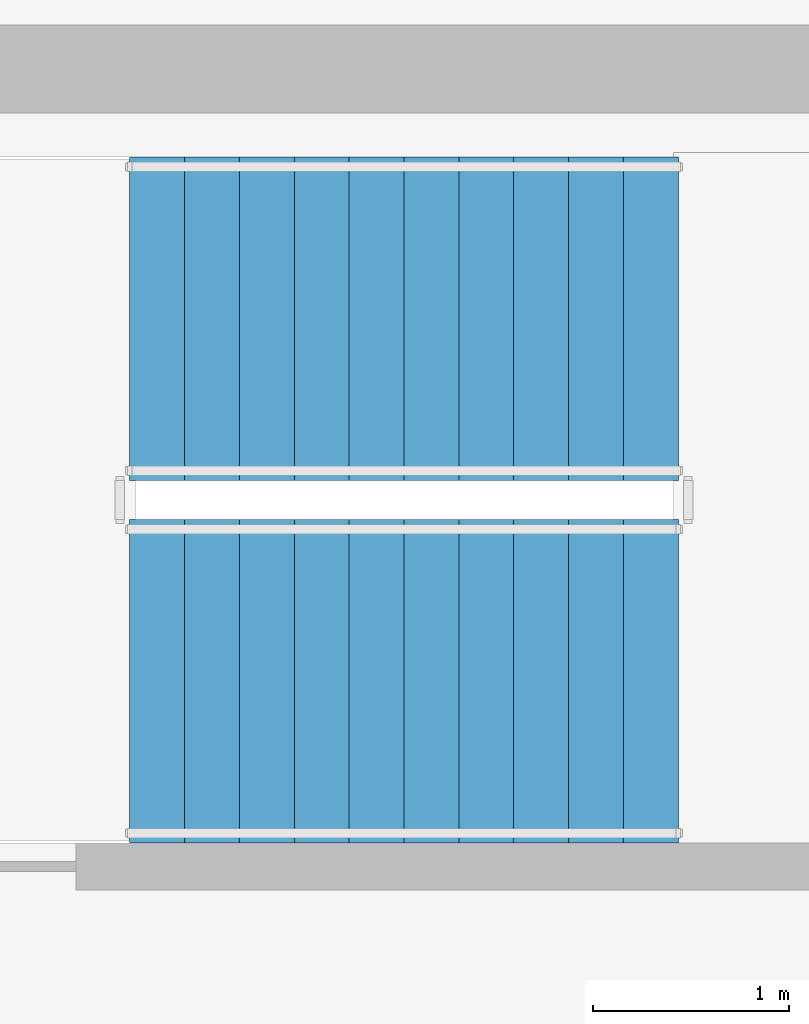
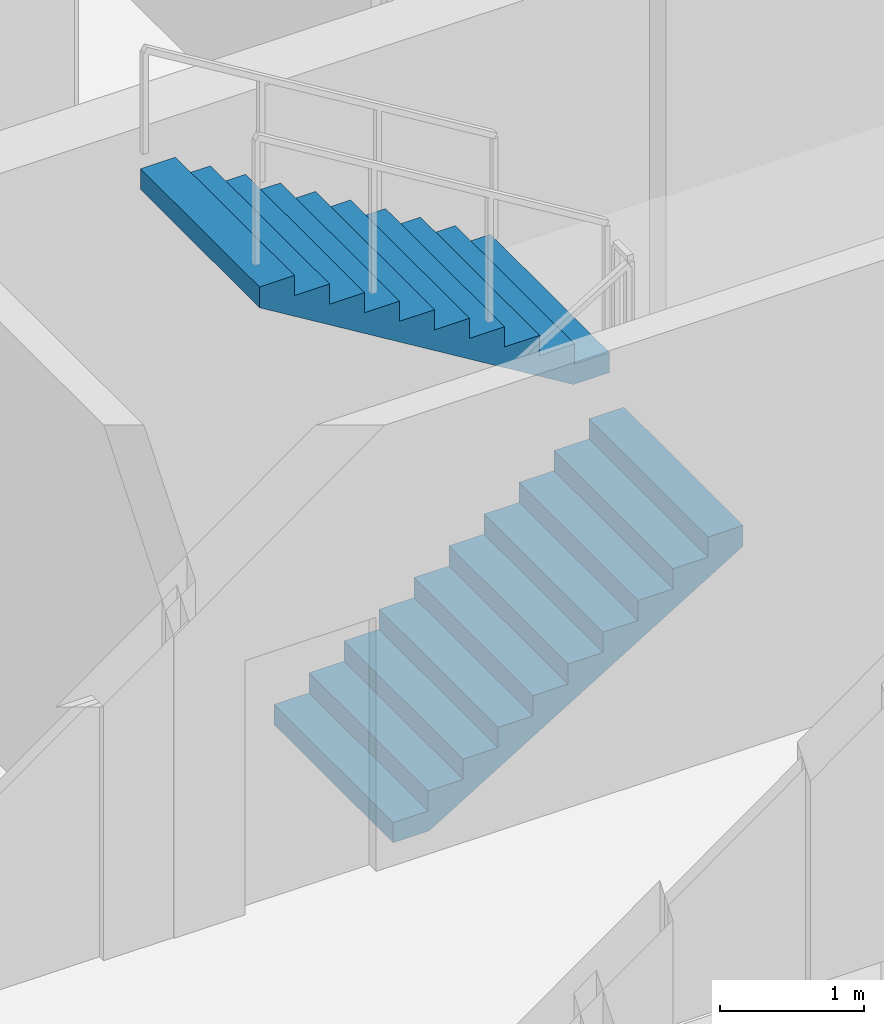
# One storey, part 23 of 28: 2 stair flights, 1 element without a shape of its own.
"""IFC4 building model written with IfcOpenShell, lengths in metres."""

from ifc_helpers import new_model, si_unit, direction, frame, origin, place, context, subcontext, project, spatial, polyline, outline, extrude, material, type_object, element, aggregate, save


model = new_model("IFC4")

# Units and contexts
model_context = context("Model", 3, precision=1e-05, world=origin(), true_north=direction((0.0, 1.0)))
body_context = subcontext(model_context, "Body", "Model", "MODEL_VIEW")
ifc_project = project(units=[si_unit("LENGTHUNIT", "METRE"), si_unit("AREAUNIT", "SQUARE_METRE"), si_unit("VOLUMEUNIT", "CUBIC_METRE"), si_unit("PLANEANGLEUNIT", "RADIAN"), si_unit("MASSUNIT", "GRAM", prefix="KILO")], contexts=[model_context])

# Site, building, storey
site_placement = place(None, origin())
site = spatial("IfcSite", under=ifc_project, at=site_placement, CompositionType="ELEMENT")
building_placement = place(site_placement, origin())
building = spatial("IfcBuilding", under=site, at=building_placement, Name="Haldenkirk Collegiate Tower", CompositionType="ELEMENT")
storey_placement = place(building_placement, frame((0.0, 0.0, 252.449951171875)))
storey = spatial("IfcBuildingStorey", under=building, at=storey_placement, Name="L63", CompositionType="ELEMENT", Elevation=252.449951171875)

# Stair, stair flights
ifc_material = material(Name="Concrete f'c 40 MPa", Category="concrete")
stair_type = type_object("IfcStairType", Name="STR-DOGLEG-1650", PredefinedType="HALF_TURN_STAIR", material=ifc_material)
stair_placement = place(storey_placement, origin())
stair = element("IfcStair", 1, at=stair_placement, inside=storey, type_object=stair_type, Name="L63 Core Exit Stair ST-3", PredefinedType="HALF_TURN_STAIR")
stair_flight_type = type_object("IfcStairFlightType", Name="STF-FLIGHT-1650", PredefinedType="STRAIGHT", material=ifc_material)
stair_flight_1_placement = place(storey_placement, frame((33.64990234375, 30.875, 0.0), z_axis=(0.0, 0.0, 1.0), x_axis=(1.0, 0.0, 0.0)))
stair_flight_1 = element("IfcStairFlight", 2, at=stair_flight_1_placement, type_object=stair_flight_type, Name="ST-3 flight 1", NumberOfRisers=11, NumberOfTreads=10, PredefinedType="STRAIGHT", RiserHeight=0.170454545, TreadLength=0.28, context=body_context, shape_type="SweptSolid", body=[
    extrude(outline(polyline([(0.0, 0.0), (0.0, 0.17041015625), (0.280029296875, 0.17041015625), (0.280029296875, 0.3408203125), (0.56005859375, 0.3408203125), (0.56005859375, 0.511474609375), (0.840087890625, 0.511474609375), (0.840087890625, 0.681884765625), (1.1201171875, 0.681884765625), (1.1201171875, 0.852294921875), (1.39990234375, 0.852294921875), (1.39990234375, 1.022705078125), (1.679931640625, 1.022705078125), (1.679931640625, 1.193115234375), (1.9599609375, 1.193115234375), (1.9599609375, 1.363525390625), (2.239990234375, 1.363525390625), (2.239990234375, 1.5341796875), (2.52001953125, 1.5341796875), (2.52001953125, 1.70458984375), (2.800048828125, 1.70458984375), (2.800048828125, 1.875), (2.800048828125, 1.529052734375), (0.288330078125, 0.0), (0.0, 0.0)])), frame((0.0, 0.824951171875, 0.0), z_axis=(0.0, -1.0, 0.0), x_axis=(1.0, 0.0, 0.0)), (0.0, 0.0, 1.0), 1.64990234375),
])
stair_flight_2_placement = place(storey_placement, frame((36.449951171875, 32.72509765625, 1.875), z_axis=(0.0, 0.0, 1.0), x_axis=(-1.0, 0.0, 0.0)))
stair_flight_2 = element("IfcStairFlight", 3, at=stair_flight_2_placement, type_object=stair_flight_type, Name="ST-3 flight 2", NumberOfRisers=11, NumberOfTreads=10, PredefinedType="STRAIGHT", RiserHeight=0.170454545, TreadLength=0.28, context=body_context, shape_type="SweptSolid", body=[
    extrude(outline(polyline([(0.0, 0.0), (0.0, 0.17041015625), (0.280029296875, 0.17041015625), (0.280029296875, 0.3408203125), (0.56005859375, 0.3408203125), (0.56005859375, 0.511474609375), (0.840087890625, 0.511474609375), (0.840087890625, 0.681884765625), (1.1201171875, 0.681884765625), (1.1201171875, 0.852294921875), (1.39990234375, 0.852294921875), (1.39990234375, 1.022705078125), (1.679931640625, 1.022705078125), (1.679931640625, 1.193115234375), (1.9599609375, 1.193115234375), (1.9599609375, 1.363525390625), (2.239990234375, 1.363525390625), (2.239990234375, 1.5341796875), (2.52001953125, 1.5341796875), (2.52001953125, 1.70458984375), (2.800048828125, 1.70458984375), (2.800048828125, 1.875), (2.800048828125, 1.529052734375), (0.288330078125, 0.0), (0.0, 0.0)])), frame((0.0, 0.824951171875, 0.0), z_axis=(0.0, -1.0, 0.0), x_axis=(1.0, 0.0, 0.0)), (0.0, 0.0, 1.0), 1.64990234375),
])
aggregate(stair, [stair_flight_1, stair_flight_2])

save(model, "model.ifc")
